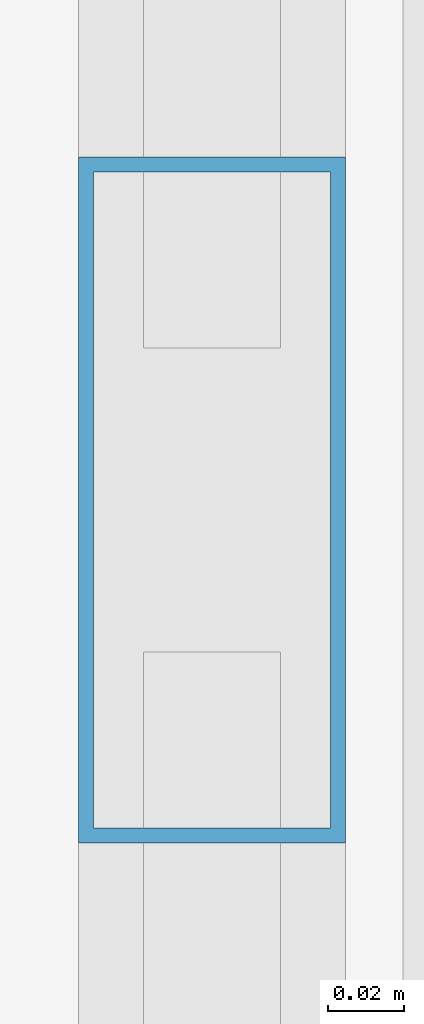
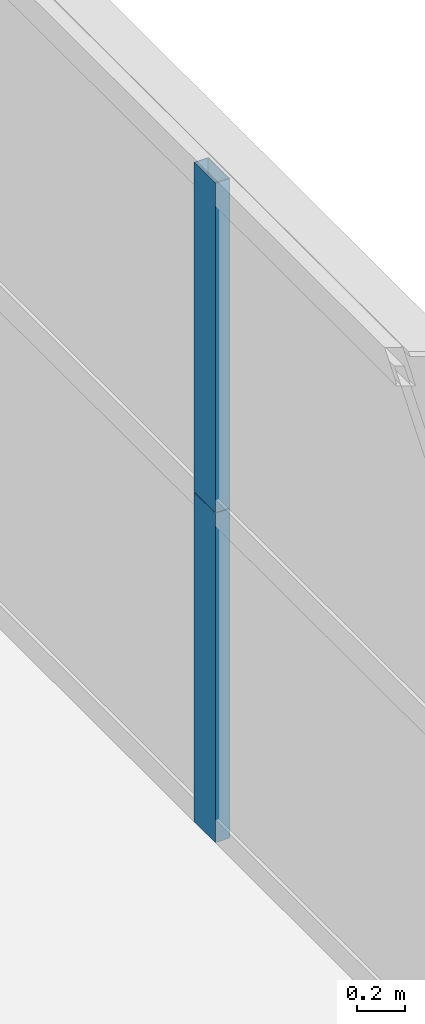
# One storey, part 19 of 43: 2 members, 1 element without a shape of its own.
"""IFC4 building model written with IfcOpenShell, lengths in metres."""

from ifc_helpers import new_model, si_unit, direction, frame, origin, origin_2d, place, context, subcontext, project, spatial, hollow_rectangle, extrude, source, transform, mapped, material, layer, layer_set, material_profile, profile_set, type_object, element, aggregate, save


model = new_model("IFC4")

# Units and contexts
model_context = context("Model", 3, precision=1e-05, world=origin(), true_north=direction((0.0, 1.0)))
body_context = subcontext(model_context, "Body", "Model", "MODEL_VIEW")
ifc_project = project(units=[si_unit("LENGTHUNIT", "METRE"), si_unit("AREAUNIT", "SQUARE_METRE"), si_unit("VOLUMEUNIT", "CUBIC_METRE"), si_unit("PLANEANGLEUNIT", "RADIAN"), si_unit("MASSUNIT", "GRAM", prefix="KILO"), si_unit("THERMODYNAMICTEMPERATUREUNIT", "KELVIN"), si_unit("POWERUNIT", "WATT")], contexts=[model_context])

# Site, building, storey
site_placement = place(None, origin())
site = spatial("IfcSite", under=ifc_project, at=site_placement, CompositionType="ELEMENT")
building_placement = place(site_placement, origin())
building = spatial("IfcBuilding", under=site, at=building_placement, Name="Yuzanri Waterfront Tower", CompositionType="ELEMENT")
storey_placement = place(building_placement, frame((0.0, 0.0, 74.800048828125)))
storey = spatial("IfcBuildingStorey", under=building, at=storey_placement, Name="L19", CompositionType="ELEMENT", Elevation=74.800048828125)

# Curtain wall, members
ifc_material_1 = material(Name="Anodized Architectural Bronze", Category="metal")
ifc_layer = layer(ifc_material_1, 0.159912109375)
ifc_layer_set = layer_set([ifc_layer], Name="Anodized Architectural Bronze")
curtain_wall_type = type_object("IfcCurtainWallType", Name="Anodized Bronze Hotel Lower-Tier Recessed Unitized Curtain Wall 8100", PredefinedType="NOTDEFINED", material=ifc_layer_set)
curtain_wall_placement = place(storey_placement, origin())
curtain_wall = element("IfcCurtainWall", 1, at=curtain_wall_placement, inside=storey, type_object=curtain_wall_type, Name="L19 Curtain Wall CW-L19-EL", PredefinedType="NOTDEFINED")
ifc_material_2 = material(Name="Anodized Architectural Bronze", Category="metal")
ifc_material_profile = material_profile(ifc_material_2, hollow_rectangle(XDim=0.070068359375, YDim=0.179931640625, WallThickness=0.00390625, at=origin_2d()), Name="CWM 70x180")
ifc_profile_set = profile_set([ifc_material_profile], Name="Anodized Architectural Bronze")
member_type = type_object("IfcMemberType", Name="Anodized Bronze Standard Curtain-Wall Mullion 70x180", PredefinedType="MULLION", material=ifc_profile_set)
shared_shape = source(origin(), body_context, "Body", "SweptSolid", [
    extrude(hollow_rectangle(XDim=0.070068359375, YDim=0.179931640625, WallThickness=0.00390625, at=origin_2d()), origin(), (0.0, 0.0, 1.0), 1.68798828125),
])
member_1_placement = place(storey_placement, frame((61.949951171875, 16.699951171875, 0.0), z_axis=(0.0, 0.0, 1.0), x_axis=(1.0, 0.0, 0.0)))
member_1 = element("IfcMember", 2, at=member_1_placement, type_object=member_type, Name="CW-L19-EL Lower Mullion 01", PredefinedType="MULLION", context=body_context, shape_type="MappedRepresentation", body=[
    mapped(shared_shape, transform((0.0, 0.0, 0.0), scale=1.0)),
])
member_2_placement = place(storey_placement, frame((61.949951171875, 16.699951171875, 1.69189453125), z_axis=(0.0, 0.0, 1.0), x_axis=(1.0, 0.0, 0.0)))
member_2 = element("IfcMember", 3, at=member_2_placement, type_object=member_type, Name="CW-L19-EL Upper Mullion 01", PredefinedType="MULLION", context=body_context, shape_type="MappedRepresentation", body=[
    mapped(shared_shape, transform((0.0, 0.0, 0.0), scale=1.0)),
])
aggregate(curtain_wall, [member_1, member_2])

save(model, "model.ifc")
